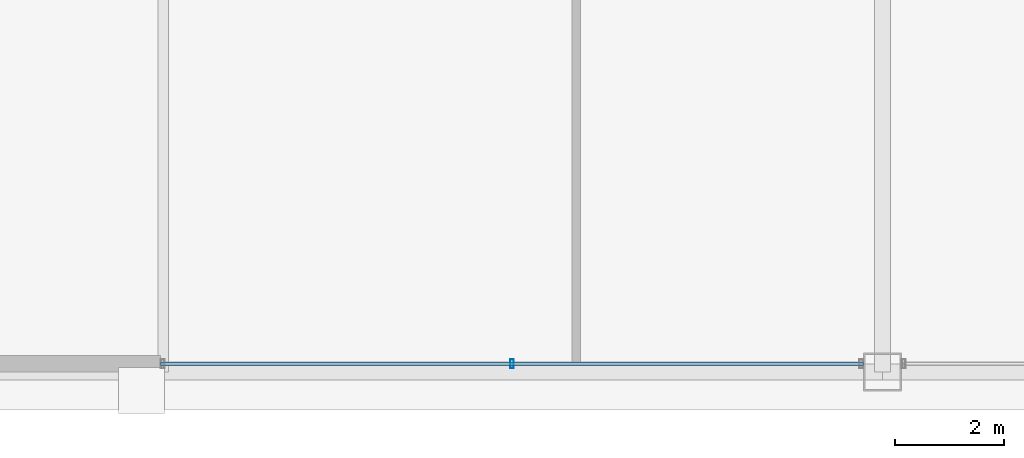
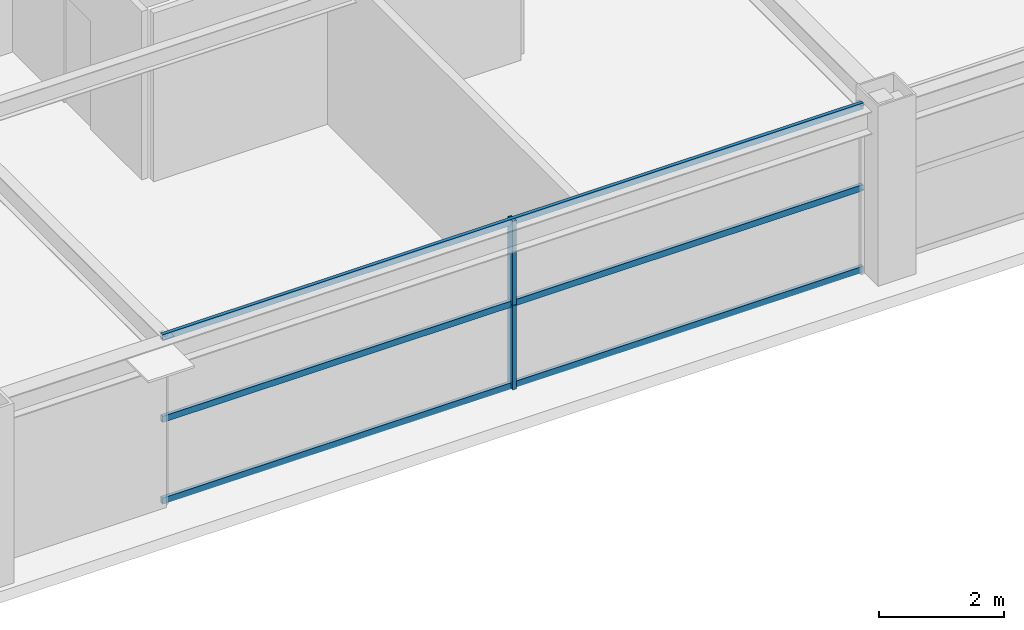
# One storey, part 6 of 37: 5 members, 1 element without a shape of its own.
"""IFC4 building model written with IfcOpenShell, lengths in metres."""

from ifc_helpers import new_model, si_unit, direction, frame, origin, origin_2d, place, context, subcontext, project, spatial, hollow_rectangle, extrude, source, transform, mapped, material, layer, layer_set, material_profile, profile_set, type_object, element, aggregate, save


model = new_model("IFC4")

# Units and contexts
model_context = context("Model", 3, precision=1e-05, world=origin(), true_north=direction((0.0, 1.0)))
body_context = subcontext(model_context, "Body", "Model", "MODEL_VIEW")
ifc_project = project(units=[si_unit("LENGTHUNIT", "METRE"), si_unit("AREAUNIT", "SQUARE_METRE"), si_unit("VOLUMEUNIT", "CUBIC_METRE"), si_unit("PLANEANGLEUNIT", "RADIAN"), si_unit("MASSUNIT", "GRAM", prefix="KILO"), si_unit("THERMODYNAMICTEMPERATUREUNIT", "KELVIN"), si_unit("POWERUNIT", "WATT")], contexts=[model_context])

# Site, building, storey
site_placement = place(None, origin())
site = spatial("IfcSite", under=ifc_project, at=site_placement, CompositionType="ELEMENT")
building_placement = place(site_placement, origin())
building = spatial("IfcBuilding", under=site, at=building_placement, Name="Yuzanri Waterfront Tower", CompositionType="ELEMENT")
storey_placement = place(building_placement, frame((0.0, 0.0, 268.10009765625)))
storey = spatial("IfcBuildingStorey", under=building, at=storey_placement, Name="L71", CompositionType="ELEMENT", Elevation=268.10009765625)

# Curtain wall, members
ifc_material_1 = material(Name="Anodized Architectural Bronze", Category="metal")
ifc_layer = layer(ifc_material_1, 0.159912109375)
ifc_layer_set = layer_set([ifc_layer], Name="Anodized Architectural Bronze")
curtain_wall_type = type_object("IfcCurtainWallType", Name="Anodized Bronze Mid-Rise Residential Acoustic Unitized Curtain Wall 7200", PredefinedType="NOTDEFINED", material=ifc_layer_set)
curtain_wall_placement = place(storey_placement, origin())
curtain_wall = element("IfcCurtainWall", 1, at=curtain_wall_placement, inside=storey, type_object=curtain_wall_type, Name="L71 Curtain Wall CW-L71-SL", PredefinedType="NOTDEFINED")
ifc_material_2 = material(Name="Anodized Architectural Bronze", Category="metal")
ifc_material_profile_1 = material_profile(ifc_material_2, hollow_rectangle(XDim=0.06494140625, YDim=0.159912109375, WallThickness=0.00341796875, at=origin_2d()), Name="CWM 65x160")
ifc_profile_set_1 = profile_set([ifc_material_profile_1], Name="Anodized Architectural Bronze")
member_type_1 = type_object("IfcMemberType", Name="Anodized Bronze Upper-Zone Curtain-Wall Mullion 65x160", PredefinedType="MULLION", material=ifc_profile_set_1)
shared_shape_1 = source(origin(), body_context, "Body", "SweptSolid", [
    extrude(hollow_rectangle(XDim=0.06494140625, YDim=0.159912109375, WallThickness=0.00341796875, at=origin_2d()), origin(), (0.0, 0.0, 1.0), 1.637939453125),
])
member_1_placement = place(storey_placement, frame((30.199951171875, 5.35009765625, 0.0), z_axis=(0.0, 0.0, 1.0), x_axis=(1.0, 0.0, 0.0)))
member_1 = element("IfcMember", 2, at=member_1_placement, type_object=member_type_1, Name="CW-L71-SL Lower Mullion 01", PredefinedType="MULLION", context=body_context, shape_type="MappedRepresentation", body=[
    mapped(shared_shape_1, transform((0.0, 0.0, 0.0), scale=1.0)),
])
member_2_placement = place(storey_placement, frame((30.199951171875, 5.35009765625, 1.641845703125), z_axis=(0.0, 0.0, 1.0), x_axis=(1.0, 0.0, 0.0)))
member_2 = element("IfcMember", 3, at=member_2_placement, type_object=member_type_1, Name="CW-L71-SL Upper Mullion 01", PredefinedType="MULLION", context=body_context, shape_type="MappedRepresentation", body=[
    mapped(shared_shape_1, transform((0.0, 0.0, 0.0), scale=1.0)),
])
ifc_material_3 = material(Name="Anodized Architectural Bronze", Category="metal")
ifc_material_profile_2 = material_profile(ifc_material_3, hollow_rectangle(XDim=0.06494140625, YDim=0.1201171875, WallThickness=0.00341796875, at=origin_2d()), Name="CWT 65x120")
ifc_profile_set_2 = profile_set([ifc_material_profile_2], Name="Anodized Architectural Bronze")
member_type_2 = type_object("IfcMemberType", Name="Anodized Bronze Secondary Curtain-Wall Transom 65x120", PredefinedType="USERDEFINED", material=ifc_profile_set_2)
shared_shape_2 = source(origin(), body_context, "Body", "SweptSolid", [
    extrude(hollow_rectangle(XDim=0.06494140625, YDim=0.1201171875, WallThickness=0.00341796875, at=origin_2d()), origin(), (0.0, 0.0, 1.0), 12.89990234375),
])
member_3_placement = place(storey_placement, frame((23.75, 5.35009765625, 0.0498046875), z_axis=(1.0, 0.0, 0.0), x_axis=(0.0, 1.0, 0.0)))
member_3 = element("IfcMember", 4, at=member_3_placement, type_object=member_type_2, Name="CW-L71-SL Transom 1", ObjectType="TRANSOM", PredefinedType="USERDEFINED", context=body_context, shape_type="MappedRepresentation", body=[
    mapped(shared_shape_2, transform((0.0, 0.0, 0.0), scale=1.0)),
])
member_4_placement = place(storey_placement, frame((23.75, 5.35009765625, 1.639892578125), z_axis=(1.0, 0.0, 0.0), x_axis=(0.0, 1.0, 0.0)))
member_4 = element("IfcMember", 5, at=member_4_placement, type_object=member_type_2, Name="CW-L71-SL Transom 2", ObjectType="TRANSOM", PredefinedType="USERDEFINED", context=body_context, shape_type="MappedRepresentation", body=[
    mapped(shared_shape_2, transform((0.0, 0.0, 0.0), scale=1.0)),
])
member_5_placement = place(storey_placement, frame((23.75, 5.35009765625, 3.22998046875), z_axis=(1.0, 0.0, 0.0), x_axis=(0.0, 1.0, 0.0)))
member_5 = element("IfcMember", 6, at=member_5_placement, type_object=member_type_2, Name="CW-L71-SL Transom 3", ObjectType="TRANSOM", PredefinedType="USERDEFINED", context=body_context, shape_type="MappedRepresentation", body=[
    mapped(shared_shape_2, transform((0.0, 0.0, 0.0), scale=1.0)),
])
aggregate(curtain_wall, [member_1, member_2, member_3, member_4, member_5])

save(model, "model.ifc")
